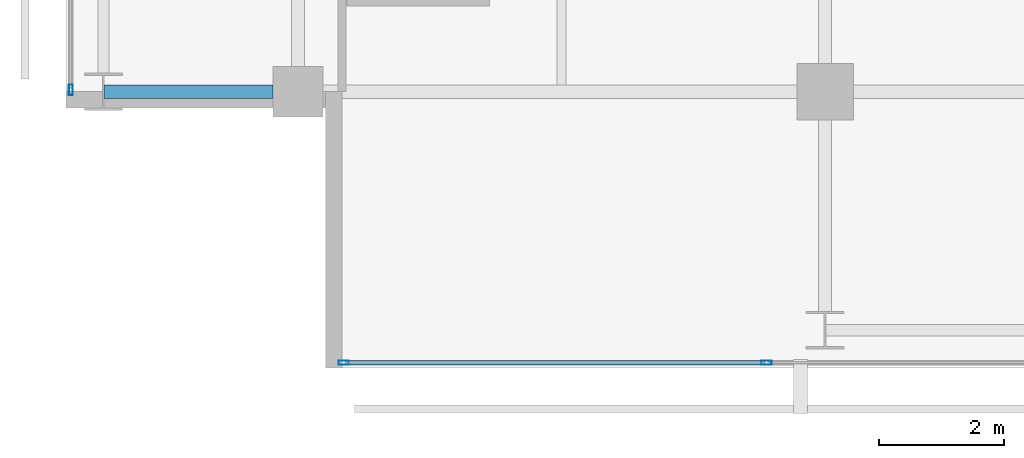
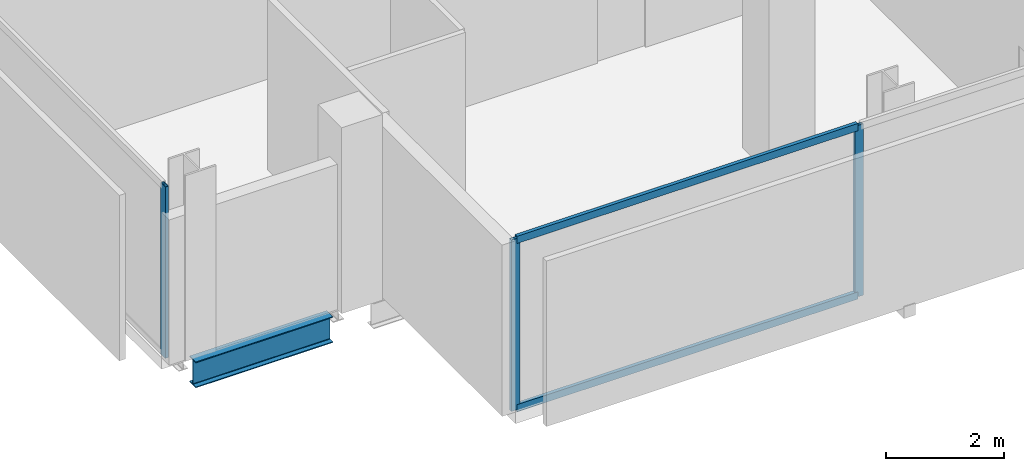
# One storey, part 2 of 32: 5 members, 1 beam, 2 elements without a shape of their own.
"""IFC4 building model written with IfcOpenShell, lengths in metres."""

from ifc_helpers import new_model, si_unit, direction, frame, origin, origin_2d, place, context, subcontext, project, spatial, hollow_rectangle, i_section, extrude, material, layer, layer_set, material_profile, profile_set, type_object, element, aggregate, save


model = new_model("IFC4")

# Units and contexts
model_context = context("Model", 3, precision=1e-05, world=origin(), true_north=direction((0.0, 1.0)))
body_context = subcontext(model_context, "Body", "Model", "MODEL_VIEW")
ifc_project = project(units=[si_unit("LENGTHUNIT", "METRE"), si_unit("AREAUNIT", "SQUARE_METRE"), si_unit("VOLUMEUNIT", "CUBIC_METRE"), si_unit("PLANEANGLEUNIT", "RADIAN"), si_unit("MASSUNIT", "GRAM", prefix="KILO")], contexts=[model_context])

# Site, building, storey
site_placement = place(None, origin())
site = spatial("IfcSite", under=ifc_project, at=site_placement, CompositionType="ELEMENT")
building_placement = place(site_placement, origin())
building = spatial("IfcBuilding", under=site, at=building_placement, Name="Maruvema Waterfront Hotel and Observation Tower", CompositionType="ELEMENT")
storey_placement = place(building_placement, frame((0.0, 0.0, 223.64990234375)))
storey = spatial("IfcBuildingStorey", under=building, at=storey_placement, Name="L55", CompositionType="ELEMENT", Elevation=223.64990234375)

# Curtain wall, members
ifc_material_1 = material(Name="Anodised bronze aluminium and solar-control low-E IGU", Category="aluminium")
ifc_layer = layer(ifc_material_1, 0.159912109375, Name="Zone 2 Amber Inner Thermal Curtain Wall System CW-03")
ifc_layer_set = layer_set([ifc_layer], Name="Anodised bronze aluminium and solar-control low-E IGU")
curtain_wall_type = type_object("IfcCurtainWallType", Name="Zone 2 Amber Inner Thermal Curtain Wall System CW-03", PredefinedType="USERDEFINED", material=ifc_layer_set)
curtain_wall_1_placement = place(storey_placement, origin())
curtain_wall_1 = element("IfcCurtainWall", 1, at=curtain_wall_1_placement, inside=storey, type_object=curtain_wall_type, Name="L55 Curtain Wall CW-L55-S", ObjectType="UNITISED CURTAIN WALL", PredefinedType="USERDEFINED")
ifc_material_2 = material(Name="Anodised architectural bronze aluminium", Category="aluminium")
ifc_material_profile_1 = material_profile(ifc_material_2, hollow_rectangle(XDim=0.070068359375, YDim=0.14990234375, WallThickness=0.00390625, at=origin_2d()), Name="ALU-T70x150")
ifc_profile_set_1 = profile_set([ifc_material_profile_1], Name="Anodised architectural bronze aluminium")
member_type_1 = type_object("IfcMemberType", Name="Curtain Wall Horizontal Transom ALU-T70x150", PredefinedType="USERDEFINED", material=ifc_profile_set_1)
member_1_placement = place(storey_placement, frame((17.56005859375, 4.679931640625, 0.030029296875), z_axis=(1.0, 0.0, 0.0), x_axis=(0.0, 1.0, 0.0)))
member_1 = element("IfcMember", 2, at=member_1_placement, type_object=member_type_1, Name="CW-03 transom 1.1", ObjectType="TRANSOM", PredefinedType="USERDEFINED", context=body_context, shape_type="SweptSolid", body=[
    extrude(hollow_rectangle(XDim=0.070068359375, YDim=0.14990234375, WallThickness=0.00390625, at=origin_2d()), origin(), (0.0, 0.0, 1.0), 6.676513671875),
])
member_2_placement = place(storey_placement, frame((17.56005859375, 4.679931640625, 3.52001953125), z_axis=(1.0, 0.0, 0.0), x_axis=(0.0, 1.0, 0.0)))
member_2 = element("IfcMember", 3, at=member_2_placement, type_object=member_type_1, Name="CW-03 transom 1.2", ObjectType="TRANSOM", PredefinedType="USERDEFINED", context=body_context, shape_type="SweptSolid", body=[
    extrude(hollow_rectangle(XDim=0.070068359375, YDim=0.14990234375, WallThickness=0.00390625, at=origin_2d()), origin(), (0.0, 0.0, 1.0), 6.676513671875),
])
ifc_material_3 = material(Name="Anodised architectural bronze aluminium", Category="aluminium")
ifc_material_profile_2 = material_profile(ifc_material_3, hollow_rectangle(XDim=0.06494140625, YDim=0.1650390625, WallThickness=0.00390625, at=origin_2d()), Name="ALU-M65x165")
ifc_profile_set_2 = profile_set([ifc_material_profile_2], Name="Anodised architectural bronze aluminium")
member_type_2 = type_object("IfcMemberType", Name="Curtain Wall Primary Mullion ALU-M65x165", PredefinedType="MULLION", material=ifc_profile_set_2)
member_3_placement = place(storey_placement, frame((17.530029296875, 4.679931640625, 0.0), z_axis=(0.0, 0.0, 1.0), x_axis=(0.0, 1.0, 0.0)))
member_3 = element("IfcMember", 4, at=member_3_placement, type_object=member_type_2, Name="CW-03 mullion 1", PredefinedType="MULLION", context=body_context, shape_type="SweptSolid", body=[
    extrude(hollow_rectangle(XDim=0.06494140625, YDim=0.1650390625, WallThickness=0.00390625, at=origin_2d()), origin(), (0.0, 0.0, 1.0), 3.550048828125),
])
member_4_placement = place(storey_placement, frame((24.2666015625, 4.679931640625, 0.0), z_axis=(0.0, 0.0, 1.0), x_axis=(0.0, 1.0, 0.0)))
member_4 = element("IfcMember", 5, at=member_4_placement, type_object=member_type_2, Name="CW-03 mullion 2", PredefinedType="MULLION", context=body_context, shape_type="SweptSolid", body=[
    extrude(hollow_rectangle(XDim=0.06494140625, YDim=0.1650390625, WallThickness=0.00390625, at=origin_2d()), origin(), (0.0, 0.0, 1.0), 3.550048828125),
])
aggregate(curtain_wall_1, [member_3, member_4, member_1, member_2])

# Curtain wall, member
curtain_wall_2_placement = place(storey_placement, origin())
curtain_wall_2 = element("IfcCurtainWall", 6, at=curtain_wall_2_placement, inside=storey, type_object=curtain_wall_type, Name="L55 Curtain Wall CW-L55-W", ObjectType="UNITISED CURTAIN WALL", PredefinedType="USERDEFINED")
member_5_placement = place(storey_placement, frame((13.179931640625, 9.030029296875, 0.0), z_axis=(0.0, 0.0, 1.0), x_axis=(1.0, 0.0, 0.0)))
member_5 = element("IfcMember", 7, at=member_5_placement, type_object=member_type_2, Name="CW-03 mullion 7", PredefinedType="MULLION", context=body_context, shape_type="SweptSolid", body=[
    extrude(hollow_rectangle(XDim=0.06494140625, YDim=0.1650390625, WallThickness=0.00390625, at=origin_2d()), origin(), (0.0, 0.0, 1.0), 3.550048828125),
])
aggregate(curtain_wall_2, [member_5])

# Beam
ifc_material_4 = material(Name="Steel ASTM A572 Grade 50", Category="steel")
ifc_material_profile_3 = material_profile(ifc_material_4, i_section(OverallWidth=0.2109375, OverallDepth=0.5390625, WebThickness=0.01171875, FlangeThickness=0.018798828125, FilletRadius=0.014892578125, at=origin_2d()), Name="W530x109.0")
ifc_profile_set_3 = profile_set([ifc_material_profile_3], Name="Steel ASTM A572 Grade 50")
beam_type = type_object("IfcBeamType", Name="Primary Floor Girder W530x109.0", PredefinedType="BEAM", material=ifc_profile_set_3)
beam_placement = place(storey_placement, frame((13.71240234375, 9.0, -0.509521484375), z_axis=(1.0, 0.0, 0.0), x_axis=(0.0, 1.0, 0.0)))
element("IfcBeam", 8, at=beam_placement, inside=storey, type_object=beam_type, Name="L55 Floor Girder EW-04", PredefinedType="BEAM", context=body_context, shape_type="SweptSolid", body=[
    extrude(i_section(OverallWidth=0.2109375, OverallDepth=0.5390625, WebThickness=0.01171875, FlangeThickness=0.018798828125, FilletRadius=0.014892578125, at=origin_2d()), origin(), (0.0, 0.0, 1.0), 2.6875),
])

save(model, "model.ifc")
